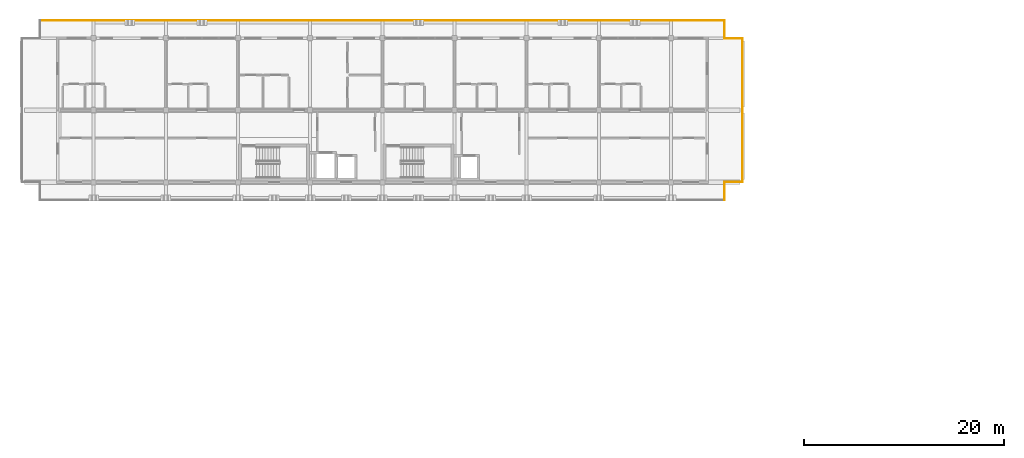
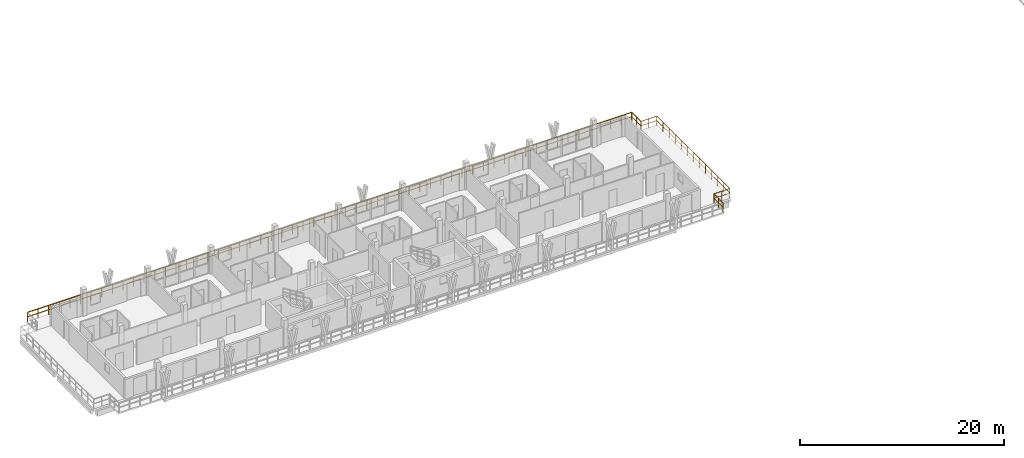
# One storey, part 41 of 45: 6 railings.
"""IFC4 building model written with IfcOpenShell, lengths in metres."""

import ifcopenshell
import ifcopenshell.guid

model = None  # the IFC model being written
_history = None  # IfcOwnerHistory: only IFC2X3 demands one
_inside = {}  # id of a spatial element -> (the spatial element, [elements in it])
_under = {}  # id of a project, library or spatial element -> (it, [spatial elements below it])
_declared = {}  # id of a project -> (the project, [libraries it declares])
_typed = {}  # id of a type object -> (the type object, [elements of that type])
_made_of = {}  # id of a material, layer set ... -> (it, [elements and type objects made of it])


def new_model(schema):
    """Start an empty IFC model of exactly this schema.

    Asked for "IFC4X3", IfcOpenShell would pick the latest addendum, in which some entities
    have other attributes; the version numbers below select the first issue.
    IFC2X3 requires an IfcOwnerHistory on every rooted entity: one is made here for all.
    """
    global model, _history
    if schema == "IFC4X3":
        model = ifcopenshell.file(schema_version=(4, 3, 0, 0))
    else:
        model = ifcopenshell.file(schema=schema)
    _inside.clear()
    _under.clear()
    _declared.clear()
    _typed.clear()
    _made_of.clear()
    _history = None
    if model.schema == "IFC2X3":
        org = make("IfcOrganization", Name="unknown")
        user = make(
            "IfcPersonAndOrganization",
            ThePerson=make("IfcPerson", FamilyName="unknown"),
            TheOrganization=org,
        )
        app = make(
            "IfcApplication",
            ApplicationDeveloper=org,
            Version="unknown",
            ApplicationFullName="unknown",
            ApplicationIdentifier="unknown",
        )
        _history = make(
            "IfcOwnerHistory",
            OwningUser=user,
            OwningApplication=app,
            ChangeAction="ADDED",
            CreationDate=0,
        )
    return model


def make(cls, **values):
    """One entity of the class cls with the attributes given. An attribute that is None is left unset."""
    return model.create_entity(
        cls, **{name: value for name, value in values.items() if value is not None}
    )


def rooted(cls, **values):
    """An entity with a GlobalId (a new one), such as an element, a storey or a relation."""
    return make(cls, GlobalId=ifcopenshell.guid.new(), OwnerHistory=_history, **values)


def si_unit(unit_type, name, prefix=None):
    """IfcSIUnit, for example si_unit("LENGTHUNIT", "METRE", prefix="MILLI")."""
    return make("IfcSIUnit", UnitType=unit_type, Prefix=prefix, Name=name)


def assignment(units):
    """IfcUnitAssignment: the units of a project."""
    return None if units is None else make("IfcUnitAssignment", Units=units)


def point(xyz):
    """IfcCartesianPoint."""
    return None if xyz is None else make("IfcCartesianPoint", Coordinates=xyz)


def direction(xyz):
    """IfcDirection."""
    return None if xyz is None else make("IfcDirection", DirectionRatios=xyz)


def frame(location, z_axis=None, x_axis=None):
    """IfcAxis2Placement3D, a coordinate frame: its origin and axes. An axis left out is left unset."""
    return make(
        "IfcAxis2Placement3D",
        Location=point(location),
        Axis=direction(z_axis),
        RefDirection=direction(x_axis),
    )


def frame_2d(location, x_axis=None):
    """IfcAxis2Placement2D, a coordinate frame in the plane: its origin and x axis."""
    return make(
        "IfcAxis2Placement2D", Location=point(location), RefDirection=direction(x_axis)
    )


def origin():
    """The frame at (0, 0, 0) with its axes left unset."""
    return frame((0.0, 0.0, 0.0))


def origin_2d():
    """The frame at (0, 0) in the plane with its x axis left unset."""
    return frame_2d((0.0, 0.0))


def place(relative_to, where):
    """IfcLocalPlacement: puts the frame where relative to a parent placement (None: the world)."""
    return make(
        "IfcLocalPlacement", PlacementRelTo=relative_to, RelativePlacement=where
    )


def context(
    kind, dimensions, precision=None, world=None, true_north=None, identifier=None
):
    """IfcGeometricRepresentationContext, for example the 3D "Model" context."""
    return make(
        "IfcGeometricRepresentationContext",
        ContextIdentifier=identifier,
        ContextType=kind,
        CoordinateSpaceDimension=dimensions,
        Precision=precision,
        WorldCoordinateSystem=world,
        TrueNorth=true_north,
    )


def subcontext(parent, identifier, kind, view, scale=None):
    """IfcGeometricRepresentationSubContext, for example "Body" below "Model"."""
    return make(
        "IfcGeometricRepresentationSubContext",
        ContextIdentifier=identifier,
        ContextType=kind,
        ParentContext=parent,
        TargetScale=scale,
        TargetView=view,
    )


def project(units=None, contexts=None):
    """IfcProject with its units and contexts."""
    return rooted(
        "IfcProject",
        Name="project",
        RepresentationContexts=contexts,
        UnitsInContext=assignment(units),
    )


def spatial(cls, under=None, at=None, **own):
    """A site, building, storey or space (cls), placed at a placement, below another one or the project."""
    s = rooted(cls, ObjectPlacement=at, **own)
    if under is not None:
        _under.setdefault(under.id(), (under, []))[1].append(s)
    return s


def profile(cls, at=None, kind="AREA", **sizes):
    """A parametric profile (cls). Its sizes go by their IFC names, for example OverallWidth=200.0."""
    return make(cls, ProfileType=kind, Position=at, **sizes)


def rectangle(**sizes):
    """IfcRectangleProfileDef."""
    return profile("IfcRectangleProfileDef", **sizes)


def extrude(swept, where, along, depth):
    """IfcExtrudedAreaSolid: the profile swept, set in the frame where, extruded along a direction by depth."""
    return make(
        "IfcExtrudedAreaSolid",
        SweptArea=swept,
        Position=where,
        ExtrudedDirection=direction(along),
        Depth=depth,
    )


def shape(context_of_items, identifier, shape_type, items):
    """IfcShapeRepresentation: the items that make up one representation, for example the "Body"."""
    return make(
        "IfcShapeRepresentation",
        ContextOfItems=context_of_items,
        RepresentationIdentifier=identifier,
        RepresentationType=shape_type,
        Items=items,
    )


def material(Name=None, Category=None):
    """IfcMaterial."""
    return make("IfcMaterial", Name=Name, Category=Category)


def made_of(thing, what):
    """Note that an element or type object is made of a material, layer set ...; save() writes the relation."""
    if what is not None:
        _made_of.setdefault(what.id(), (what, []))[1].append(thing)
    return thing


def type_object(cls, material=None, **own):
    """A type object (cls), such as IfcWallType, which elements share."""
    return made_of(rooted(cls, **own), material)


def element(
    cls,
    number,
    at=None,
    inside=None,
    cuts=None,
    type_object=None,
    material=None,
    context=None,
    identifier="Body",
    shape_type=None,
    held_by="IfcProductDefinitionShape",
    body=None,
    shapes=None,
    **own,
):
    """One element of the class cls, such as IfcWall. Its Tag is "e" and its number.

    at: its placement. inside: the storey or other place that contains it. cuts: it is an
    opening in that element (IfcRelVoidsElement). A single representation is given by context,
    identifier, shape_type and body (its items); several are given by shapes. held_by: the class
    of the entity that holds the representations. save() writes the other relations.
    """
    e = rooted(cls, Tag="e%d" % number, ObjectPlacement=at, **own)
    if body is not None:
        shapes = [shape(context, identifier, shape_type, body)]
    if shapes is not None:
        e.Representation = make(held_by, Representations=shapes)
    if inside is not None:
        _inside.setdefault(inside.id(), (inside, []))[1].append(e)
    if cuts is not None:
        rooted(
            "IfcRelVoidsElement", RelatingBuildingElement=cuts, RelatedOpeningElement=e
        )
    if type_object is not None:
        _typed.setdefault(type_object.id(), (type_object, []))[1].append(e)
    return made_of(e, material)


def aggregate(whole, parts):
    """IfcRelAggregates: a whole, such as a stair, and the parts it consists of."""
    return rooted("IfcRelAggregates", RelatingObject=whole, RelatedObjects=parts)


def save(model, path):
    """Write the relations noted so far, then the file.

    IfcRelAggregates (storeys below a building ...), IfcRelContainedInSpatialStructure (elements
    in a storey), IfcRelDefinesByType, IfcRelAssociatesMaterial and IfcRelDeclares: one each for
    every whole, place, type object, material and project.
    """
    for whole, parts in _under.values():
        aggregate(whole, parts)
    for where, things in _inside.values():
        rooted(
            "IfcRelContainedInSpatialStructure",
            RelatedElements=things,
            RelatingStructure=where,
        )
    for kind, things in _typed.values():
        rooted("IfcRelDefinesByType", RelatedObjects=things, RelatingType=kind)
    for what, things in _made_of.values():
        rooted("IfcRelAssociatesMaterial", RelatedObjects=things, RelatingMaterial=what)
    for by, libraries in _declared.values():
        rooted("IfcRelDeclares", RelatingContext=by, RelatedDefinitions=libraries)
    model.write(path)


model = new_model("IFC4")

# Units and contexts
model_context = context("Model", 3, precision=1e-05, world=origin(), true_north=direction((0.0, 1.0)))
body_context = subcontext(model_context, "Body", "Model", "MODEL_VIEW")
ifc_project = project(units=[si_unit("LENGTHUNIT", "METRE"), si_unit("AREAUNIT", "SQUARE_METRE"), si_unit("VOLUMEUNIT", "CUBIC_METRE"), si_unit("PLANEANGLEUNIT", "RADIAN"), si_unit("MASSUNIT", "GRAM", prefix="KILO")], contexts=[model_context])

# Site, building, storey
site_placement = place(None, origin())
site = spatial("IfcSite", under=ifc_project, at=site_placement, CompositionType="ELEMENT")
building_placement = place(site_placement, origin())
building = spatial("IfcBuilding", under=site, at=building_placement, Name="Suanplinth Sawtooth Commons", CompositionType="ELEMENT")
storey_placement = place(building_placement, frame((0.0, 0.0, 38.0)))
storey = spatial("IfcBuildingStorey", under=building, at=storey_placement, Name="L11", CompositionType="ELEMENT", Elevation=38.0)

# Railings
ifc_material = material(Name="Powder-coated galvanized steel", Category="steel")
railing_type = type_object("IfcRailingType", Name="GR-01", PredefinedType="BALUSTRADE", material=ifc_material)
railing_1_placement = place(storey_placement, frame((23.4599609375, 124.139892578125, 0.0)))
element("IfcRailing", 1, at=railing_1_placement, inside=storey, type_object=railing_type, Name="L11 Block A Perimeter Balustrade 5", PredefinedType="BALUSTRADE", context=body_context, shape_type="SweptSolid", body=[
    extrude(rectangle(XDim=0.048095703125, YDim=0.048095703125, at=origin_2d()), frame((0.0, 0.0, 1.09619140625), z_axis=(1.0, 0.0, 0.0), x_axis=(0.0, 1.0, 0.0)), (0.0, 0.0, 1.0), 68.280029296875),
    extrude(rectangle(XDim=0.03369140625, YDim=0.03369140625, at=origin_2d()), frame((0.0, 0.0, 0.56005859375), z_axis=(1.0, 0.0, 0.0), x_axis=(0.0, 1.0, 0.0)), (0.0, 0.0, 1.0), 68.280029296875),
    extrude(rectangle(XDim=0.0419921875, YDim=0.0419921875, at=origin_2d()), origin(), (0.0, 0.0, 1.0), 1.072021484375),
    extrude(rectangle(XDim=0.0419921875, YDim=0.0419921875, at=origin_2d()), frame((1.197998046875, 0.0, 0.0)), (0.0, 0.0, 1.0), 1.072021484375),
    extrude(rectangle(XDim=0.0419921875, YDim=0.0419921875, at=origin_2d()), frame((2.395751953125, 0.0, 0.0)), (0.0, 0.0, 1.0), 1.072021484375),
    extrude(rectangle(XDim=0.0419921875, YDim=0.0419921875, at=origin_2d()), frame((3.59375, 0.0, 0.0)), (0.0, 0.0, 1.0), 1.072021484375),
    extrude(rectangle(XDim=0.0419921875, YDim=0.0419921875, at=origin_2d()), frame((4.79150390625, 0.0, 0.0)), (0.0, 0.0, 1.0), 1.072021484375),
    extrude(rectangle(XDim=0.0419921875, YDim=0.0419921875, at=origin_2d()), frame((5.989501953125, 0.0, 0.0)), (0.0, 0.0, 1.0), 1.072021484375),
    extrude(rectangle(XDim=0.0419921875, YDim=0.0419921875, at=origin_2d()), frame((7.187255859375, 0.0, 0.0)), (0.0, 0.0, 1.0), 1.072021484375),
    extrude(rectangle(XDim=0.0419921875, YDim=0.0419921875, at=origin_2d()), frame((8.38525390625, 0.0, 0.0)), (0.0, 0.0, 1.0), 1.072021484375),
    extrude(rectangle(XDim=0.0419921875, YDim=0.0419921875, at=origin_2d()), frame((9.583251953125, 0.0, 0.0)), (0.0, 0.0, 1.0), 1.072021484375),
    extrude(rectangle(XDim=0.0419921875, YDim=0.0419921875, at=origin_2d()), frame((10.781005859375, 0.0, 0.0)), (0.0, 0.0, 1.0), 1.072021484375),
    extrude(rectangle(XDim=0.0419921875, YDim=0.0419921875, at=origin_2d()), frame((11.97900390625, 0.0, 0.0)), (0.0, 0.0, 1.0), 1.072021484375),
    extrude(rectangle(XDim=0.0419921875, YDim=0.0419921875, at=origin_2d()), frame((13.1767578125, 0.0, 0.0)), (0.0, 0.0, 1.0), 1.072021484375),
    extrude(rectangle(XDim=0.0419921875, YDim=0.0419921875, at=origin_2d()), frame((14.374755859375, 0.0, 0.0)), (0.0, 0.0, 1.0), 1.072021484375),
    extrude(rectangle(XDim=0.0419921875, YDim=0.0419921875, at=origin_2d()), frame((15.57275390625, 0.0, 0.0)), (0.0, 0.0, 1.0), 1.072021484375),
    extrude(rectangle(XDim=0.0419921875, YDim=0.0419921875, at=origin_2d()), frame((16.7705078125, 0.0, 0.0)), (0.0, 0.0, 1.0), 1.072021484375),
    extrude(rectangle(XDim=0.0419921875, YDim=0.0419921875, at=origin_2d()), frame((17.968505859375, 0.0, 0.0)), (0.0, 0.0, 1.0), 1.072021484375),
    extrude(rectangle(XDim=0.0419921875, YDim=0.0419921875, at=origin_2d()), frame((19.166259765625, 0.0, 0.0)), (0.0, 0.0, 1.0), 1.072021484375),
    extrude(rectangle(XDim=0.0419921875, YDim=0.0419921875, at=origin_2d()), frame((20.3642578125, 0.0, 0.0)), (0.0, 0.0, 1.0), 1.072021484375),
    extrude(rectangle(XDim=0.0419921875, YDim=0.0419921875, at=origin_2d()), frame((21.56201171875, 0.0, 0.0)), (0.0, 0.0, 1.0), 1.072021484375),
    extrude(rectangle(XDim=0.0419921875, YDim=0.0419921875, at=origin_2d()), frame((22.760009765625, 0.0, 0.0)), (0.0, 0.0, 1.0), 1.072021484375),
    extrude(rectangle(XDim=0.0419921875, YDim=0.0419921875, at=origin_2d()), frame((23.9580078125, 0.0, 0.0)), (0.0, 0.0, 1.0), 1.072021484375),
    extrude(rectangle(XDim=0.0419921875, YDim=0.0419921875, at=origin_2d()), frame((25.15576171875, 0.0, 0.0)), (0.0, 0.0, 1.0), 1.072021484375),
    extrude(rectangle(XDim=0.0419921875, YDim=0.0419921875, at=origin_2d()), frame((26.353759765625, 0.0, 0.0)), (0.0, 0.0, 1.0), 1.072021484375),
    extrude(rectangle(XDim=0.0419921875, YDim=0.0419921875, at=origin_2d()), frame((27.551513671875, 0.0, 0.0)), (0.0, 0.0, 1.0), 1.072021484375),
    extrude(rectangle(XDim=0.0419921875, YDim=0.0419921875, at=origin_2d()), frame((28.74951171875, 0.0, 0.0)), (0.0, 0.0, 1.0), 1.072021484375),
    extrude(rectangle(XDim=0.0419921875, YDim=0.0419921875, at=origin_2d()), frame((29.947265625, 0.0, 0.0)), (0.0, 0.0, 1.0), 1.072021484375),
    extrude(rectangle(XDim=0.0419921875, YDim=0.0419921875, at=origin_2d()), frame((31.145263671875, 0.0, 0.0)), (0.0, 0.0, 1.0), 1.072021484375),
    extrude(rectangle(XDim=0.0419921875, YDim=0.0419921875, at=origin_2d()), frame((32.34326171875, 0.0, 0.0)), (0.0, 0.0, 1.0), 1.072021484375),
    extrude(rectangle(XDim=0.0419921875, YDim=0.0419921875, at=origin_2d()), frame((33.541015625, 0.0, 0.0)), (0.0, 0.0, 1.0), 1.072021484375),
    extrude(rectangle(XDim=0.0419921875, YDim=0.0419921875, at=origin_2d()), frame((34.739013671875, 0.0, 0.0)), (0.0, 0.0, 1.0), 1.072021484375),
    extrude(rectangle(XDim=0.0419921875, YDim=0.0419921875, at=origin_2d()), frame((35.936767578125, 0.0, 0.0)), (0.0, 0.0, 1.0), 1.072021484375),
    extrude(rectangle(XDim=0.0419921875, YDim=0.0419921875, at=origin_2d()), frame((37.134765625, 0.0, 0.0)), (0.0, 0.0, 1.0), 1.072021484375),
    extrude(rectangle(XDim=0.0419921875, YDim=0.0419921875, at=origin_2d()), frame((38.332763671875, 0.0, 0.0)), (0.0, 0.0, 1.0), 1.072021484375),
    extrude(rectangle(XDim=0.0419921875, YDim=0.0419921875, at=origin_2d()), frame((39.530517578125, 0.0, 0.0)), (0.0, 0.0, 1.0), 1.072021484375),
    extrude(rectangle(XDim=0.0419921875, YDim=0.0419921875, at=origin_2d()), frame((40.728515625, 0.0, 0.0)), (0.0, 0.0, 1.0), 1.072021484375),
    extrude(rectangle(XDim=0.0419921875, YDim=0.0419921875, at=origin_2d()), frame((41.92626953125, 0.0, 0.0)), (0.0, 0.0, 1.0), 1.072021484375),
    extrude(rectangle(XDim=0.0419921875, YDim=0.0419921875, at=origin_2d()), frame((43.124267578125, 0.0, 0.0)), (0.0, 0.0, 1.0), 1.072021484375),
    extrude(rectangle(XDim=0.0419921875, YDim=0.0419921875, at=origin_2d()), frame((44.322021484375, 0.0, 0.0)), (0.0, 0.0, 1.0), 1.072021484375),
    extrude(rectangle(XDim=0.0419921875, YDim=0.0419921875, at=origin_2d()), frame((45.52001953125, 0.0, 0.0)), (0.0, 0.0, 1.0), 1.072021484375),
    extrude(rectangle(XDim=0.0419921875, YDim=0.0419921875, at=origin_2d()), frame((46.718017578125, 0.0, 0.0)), (0.0, 0.0, 1.0), 1.072021484375),
    extrude(rectangle(XDim=0.0419921875, YDim=0.0419921875, at=origin_2d()), frame((47.915771484375, 0.0, 0.0)), (0.0, 0.0, 1.0), 1.072021484375),
    extrude(rectangle(XDim=0.0419921875, YDim=0.0419921875, at=origin_2d()), frame((49.11376953125, 0.0, 0.0)), (0.0, 0.0, 1.0), 1.072021484375),
    extrude(rectangle(XDim=0.0419921875, YDim=0.0419921875, at=origin_2d()), frame((50.3115234375, 0.0, 0.0)), (0.0, 0.0, 1.0), 1.072021484375),
    extrude(rectangle(XDim=0.0419921875, YDim=0.0419921875, at=origin_2d()), frame((51.509521484375, 0.0, 0.0)), (0.0, 0.0, 1.0), 1.072021484375),
    extrude(rectangle(XDim=0.0419921875, YDim=0.0419921875, at=origin_2d()), frame((52.707275390625, 0.0, 0.0)), (0.0, 0.0, 1.0), 1.072021484375),
    extrude(rectangle(XDim=0.0419921875, YDim=0.0419921875, at=origin_2d()), frame((53.9052734375, 0.0, 0.0)), (0.0, 0.0, 1.0), 1.072021484375),
    extrude(rectangle(XDim=0.0419921875, YDim=0.0419921875, at=origin_2d()), frame((55.103271484375, 0.0, 0.0)), (0.0, 0.0, 1.0), 1.072021484375),
    extrude(rectangle(XDim=0.0419921875, YDim=0.0419921875, at=origin_2d()), frame((56.301025390625, 0.0, 0.0)), (0.0, 0.0, 1.0), 1.072021484375),
    extrude(rectangle(XDim=0.0419921875, YDim=0.0419921875, at=origin_2d()), frame((57.4990234375, 0.0, 0.0)), (0.0, 0.0, 1.0), 1.072021484375),
    extrude(rectangle(XDim=0.0419921875, YDim=0.0419921875, at=origin_2d()), frame((58.69677734375, 0.0, 0.0)), (0.0, 0.0, 1.0), 1.072021484375),
    extrude(rectangle(XDim=0.0419921875, YDim=0.0419921875, at=origin_2d()), frame((59.894775390625, 0.0, 0.0)), (0.0, 0.0, 1.0), 1.072021484375),
    extrude(rectangle(XDim=0.0419921875, YDim=0.0419921875, at=origin_2d()), frame((61.0927734375, 0.0, 0.0)), (0.0, 0.0, 1.0), 1.072021484375),
    extrude(rectangle(XDim=0.0419921875, YDim=0.0419921875, at=origin_2d()), frame((62.29052734375, 0.0, 0.0)), (0.0, 0.0, 1.0), 1.072021484375),
    extrude(rectangle(XDim=0.0419921875, YDim=0.0419921875, at=origin_2d()), frame((63.488525390625, 0.0, 0.0)), (0.0, 0.0, 1.0), 1.072021484375),
    extrude(rectangle(XDim=0.0419921875, YDim=0.0419921875, at=origin_2d()), frame((64.686279296875, 0.0, 0.0)), (0.0, 0.0, 1.0), 1.072021484375),
    extrude(rectangle(XDim=0.0419921875, YDim=0.0419921875, at=origin_2d()), frame((65.88427734375, 0.0, 0.0)), (0.0, 0.0, 1.0), 1.072021484375),
    extrude(rectangle(XDim=0.0419921875, YDim=0.0419921875, at=origin_2d()), frame((67.08203125, 0.0, 0.0)), (0.0, 0.0, 1.0), 1.072021484375),
    extrude(rectangle(XDim=0.0419921875, YDim=0.0419921875, at=origin_2d()), frame((68.280029296875, 0.0, 0.0)), (0.0, 0.0, 1.0), 1.072021484375),
])
railing_2_placement = place(storey_placement, frame((91.739990234375, 124.139892578125, 0.0)))
element("IfcRailing", 2, at=railing_2_placement, inside=storey, type_object=railing_type, Name="L11 Block A Perimeter Balustrade 6", PredefinedType="BALUSTRADE", context=body_context, shape_type="SweptSolid", body=[
    extrude(rectangle(XDim=0.048095703125, YDim=0.048095703125, at=origin_2d()), frame((0.0, 0.0, 1.09619140625), z_axis=(0.0, -1.0, 0.0), x_axis=(1.0, 0.0, 0.0)), (0.0, 0.0, 1.0), 1.7998046875),
    extrude(rectangle(XDim=0.03369140625, YDim=0.03369140625, at=origin_2d()), frame((0.0, 0.0, 0.56005859375), z_axis=(0.0, -1.0, 0.0), x_axis=(1.0, 0.0, 0.0)), (0.0, 0.0, 1.0), 1.7998046875),
    extrude(rectangle(XDim=0.0419921875, YDim=0.0419921875, at=origin_2d()), origin(), (0.0, 0.0, 1.0), 1.072021484375),
    extrude(rectangle(XDim=0.0419921875, YDim=0.0419921875, at=origin_2d()), frame((0.0, -0.89990234375, 0.0)), (0.0, 0.0, 1.0), 1.072021484375),
    extrude(rectangle(XDim=0.0419921875, YDim=0.0419921875, at=origin_2d()), frame((0.0, -1.7998046875, 0.0)), (0.0, 0.0, 1.0), 1.072021484375),
])
railing_3_placement = place(storey_placement, frame((91.739990234375, 122.340087890625, 0.0)))
element("IfcRailing", 3, at=railing_3_placement, inside=storey, type_object=railing_type, Name="L11 Block A Perimeter Balustrade 7", PredefinedType="BALUSTRADE", context=body_context, shape_type="SweptSolid", body=[
    extrude(rectangle(XDim=0.048095703125, YDim=0.048095703125, at=origin_2d()), frame((0.0, 0.0, 1.09619140625), z_axis=(1.0, 0.0, 0.0), x_axis=(0.0, 1.0, 0.0)), (0.0, 0.0, 1.0), 1.800048828125),
    extrude(rectangle(XDim=0.03369140625, YDim=0.03369140625, at=origin_2d()), frame((0.0, 0.0, 0.56005859375), z_axis=(1.0, 0.0, 0.0), x_axis=(0.0, 1.0, 0.0)), (0.0, 0.0, 1.0), 1.800048828125),
    extrude(rectangle(XDim=0.0419921875, YDim=0.0419921875, at=origin_2d()), origin(), (0.0, 0.0, 1.0), 1.072021484375),
    extrude(rectangle(XDim=0.0419921875, YDim=0.0419921875, at=origin_2d()), frame((0.89990234375, 0.0, 0.0)), (0.0, 0.0, 1.0), 1.072021484375),
    extrude(rectangle(XDim=0.0419921875, YDim=0.0419921875, at=origin_2d()), frame((1.800048828125, 0.0, 0.0)), (0.0, 0.0, 1.0), 1.072021484375),
])
railing_4_placement = place(storey_placement, frame((93.5400390625, 122.340087890625, 0.0)))
element("IfcRailing", 4, at=railing_4_placement, inside=storey, type_object=railing_type, Name="L11 Block A Perimeter Balustrade 8", PredefinedType="BALUSTRADE", context=body_context, shape_type="SweptSolid", body=[
    extrude(rectangle(XDim=0.048095703125, YDim=0.048095703125, at=origin_2d()), frame((0.0, 0.0, 1.09619140625), z_axis=(0.0, -1.0, 0.0), x_axis=(1.0, 0.0, 0.0)), (0.0, 0.0, 1.0), 14.280029296875),
    extrude(rectangle(XDim=0.03369140625, YDim=0.03369140625, at=origin_2d()), frame((0.0, 0.0, 0.56005859375), z_axis=(0.0, -1.0, 0.0), x_axis=(1.0, 0.0, 0.0)), (0.0, 0.0, 1.0), 14.280029296875),
    extrude(rectangle(XDim=0.0419921875, YDim=0.0419921875, at=origin_2d()), origin(), (0.0, 0.0, 1.0), 1.072021484375),
    extrude(rectangle(XDim=0.0419921875, YDim=0.0419921875, at=origin_2d()), frame((0.0, -1.18994140625, 0.0)), (0.0, 0.0, 1.0), 1.072021484375),
    extrude(rectangle(XDim=0.0419921875, YDim=0.0419921875, at=origin_2d()), frame((0.0, -2.3798828125, 0.0)), (0.0, 0.0, 1.0), 1.072021484375),
    extrude(rectangle(XDim=0.0419921875, YDim=0.0419921875, at=origin_2d()), frame((0.0, -3.570068359375, 0.0)), (0.0, 0.0, 1.0), 1.072021484375),
    extrude(rectangle(XDim=0.0419921875, YDim=0.0419921875, at=origin_2d()), frame((0.0, -4.760009765625, 0.0)), (0.0, 0.0, 1.0), 1.072021484375),
    extrude(rectangle(XDim=0.0419921875, YDim=0.0419921875, at=origin_2d()), frame((0.0, -5.949951171875, 0.0)), (0.0, 0.0, 1.0), 1.072021484375),
    extrude(rectangle(XDim=0.0419921875, YDim=0.0419921875, at=origin_2d()), frame((0.0, -7.14013671875, 0.0)), (0.0, 0.0, 1.0), 1.072021484375),
    extrude(rectangle(XDim=0.0419921875, YDim=0.0419921875, at=origin_2d()), frame((0.0, -8.330078125, 0.0)), (0.0, 0.0, 1.0), 1.072021484375),
    extrude(rectangle(XDim=0.0419921875, YDim=0.0419921875, at=origin_2d()), frame((0.0, -9.52001953125, 0.0)), (0.0, 0.0, 1.0), 1.072021484375),
    extrude(rectangle(XDim=0.0419921875, YDim=0.0419921875, at=origin_2d()), frame((0.0, -10.7099609375, 0.0)), (0.0, 0.0, 1.0), 1.072021484375),
    extrude(rectangle(XDim=0.0419921875, YDim=0.0419921875, at=origin_2d()), frame((0.0, -11.89990234375, 0.0)), (0.0, 0.0, 1.0), 1.072021484375),
    extrude(rectangle(XDim=0.0419921875, YDim=0.0419921875, at=origin_2d()), frame((0.0, -13.090087890625, 0.0)), (0.0, 0.0, 1.0), 1.072021484375),
    extrude(rectangle(XDim=0.0419921875, YDim=0.0419921875, at=origin_2d()), frame((0.0, -14.280029296875, 0.0)), (0.0, 0.0, 1.0), 1.072021484375),
])
railing_5_placement = place(storey_placement, frame((93.5400390625, 108.06005859375, 0.0)))
element("IfcRailing", 5, at=railing_5_placement, inside=storey, type_object=railing_type, Name="L11 Block A Perimeter Balustrade 9", PredefinedType="BALUSTRADE", context=body_context, shape_type="SweptSolid", body=[
    extrude(rectangle(XDim=0.048095703125, YDim=0.048095703125, at=origin_2d()), frame((0.0, 0.0, 1.09619140625), z_axis=(-1.0, 0.0, 0.0), x_axis=(0.0, -1.0, 0.0)), (0.0, 0.0, 1.0), 1.800048828125),
    extrude(rectangle(XDim=0.03369140625, YDim=0.03369140625, at=origin_2d()), frame((0.0, 0.0, 0.56005859375), z_axis=(-1.0, 0.0, 0.0), x_axis=(0.0, -1.0, 0.0)), (0.0, 0.0, 1.0), 1.800048828125),
    extrude(rectangle(XDim=0.0419921875, YDim=0.0419921875, at=origin_2d()), origin(), (0.0, 0.0, 1.0), 1.072021484375),
    extrude(rectangle(XDim=0.0419921875, YDim=0.0419921875, at=origin_2d()), frame((-0.89990234375, 0.0, 0.0)), (0.0, 0.0, 1.0), 1.072021484375),
    extrude(rectangle(XDim=0.0419921875, YDim=0.0419921875, at=origin_2d()), frame((-1.800048828125, 0.0, 0.0)), (0.0, 0.0, 1.0), 1.072021484375),
])
railing_6_placement = place(storey_placement, frame((91.739990234375, 108.06005859375, 0.0)))
element("IfcRailing", 6, at=railing_6_placement, inside=storey, type_object=railing_type, Name="L11 Block A Perimeter Balustrade 10", PredefinedType="BALUSTRADE", context=body_context, shape_type="SweptSolid", body=[
    extrude(rectangle(XDim=0.048095703125, YDim=0.048095703125, at=origin_2d()), frame((0.0, 0.0, 1.09619140625), z_axis=(0.0, -1.0, 0.0), x_axis=(1.0, 0.0, 0.0)), (0.0, 0.0, 1.0), 1.800048828125),
    extrude(rectangle(XDim=0.03369140625, YDim=0.03369140625, at=origin_2d()), frame((0.0, 0.0, 0.56005859375), z_axis=(0.0, -1.0, 0.0), x_axis=(1.0, 0.0, 0.0)), (0.0, 0.0, 1.0), 1.800048828125),
    extrude(rectangle(XDim=0.0419921875, YDim=0.0419921875, at=origin_2d()), origin(), (0.0, 0.0, 1.0), 1.072021484375),
    extrude(rectangle(XDim=0.0419921875, YDim=0.0419921875, at=origin_2d()), frame((0.0, -0.89990234375, 0.0)), (0.0, 0.0, 1.0), 1.072021484375),
    extrude(rectangle(XDim=0.0419921875, YDim=0.0419921875, at=origin_2d()), frame((0.0, -1.800048828125, 0.0)), (0.0, 0.0, 1.0), 1.072021484375),
])

save(model, "model.ifc")
